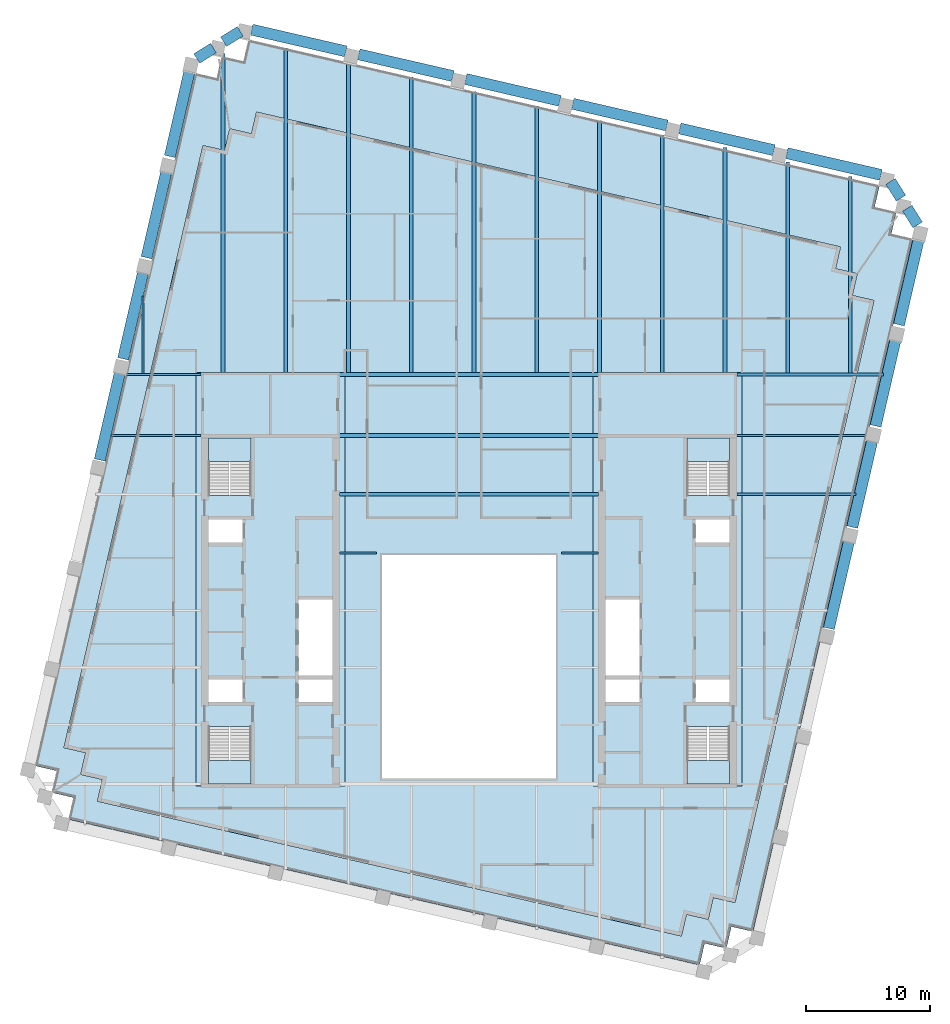
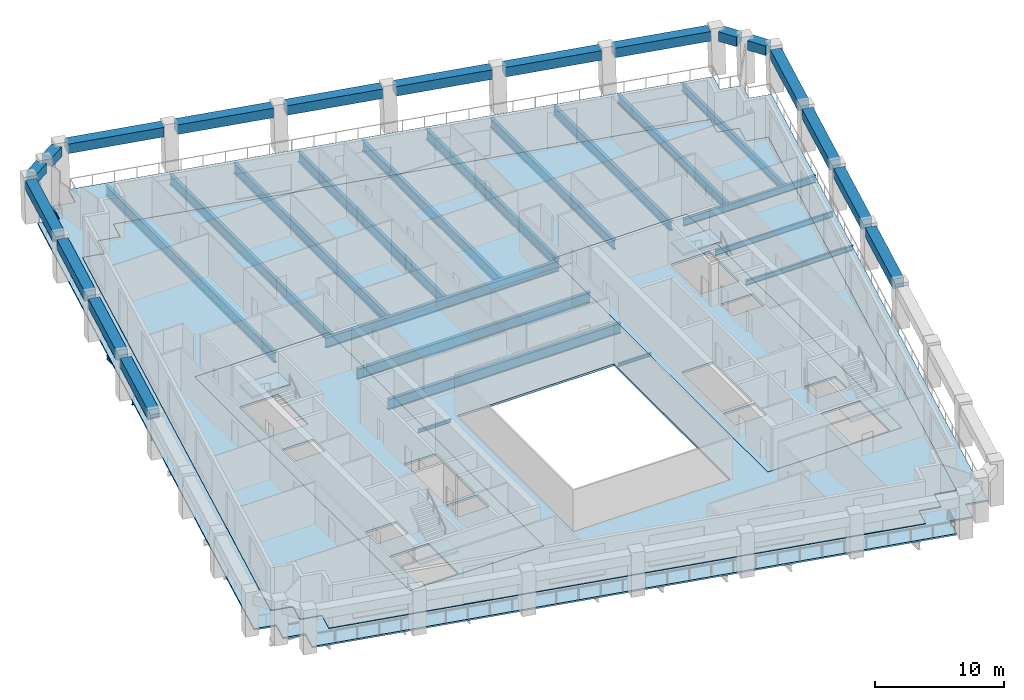
# One storey, part 2 of 9: 40 beams, 8 slabs, 4 elements without a shape of their own.
"""IFC4 building model written with IfcOpenShell, lengths in metres."""

from ifc_helpers import new_model, si_unit, direction, frame, origin, origin_2d, place, context, subcontext, project, spatial, polyline, rectangle, i_section, outline, extrude, material, layer, layer_set, material_profile, profile_set, type_object, element, aggregate, save


model = new_model("IFC4")

# Units and contexts
model_context = context("Model", 3, precision=1e-05, world=origin(), true_north=direction((0.0, 1.0)))
body_context = subcontext(model_context, "Body", "Model", "MODEL_VIEW")
ifc_project = project(units=[si_unit("LENGTHUNIT", "METRE"), si_unit("AREAUNIT", "SQUARE_METRE"), si_unit("VOLUMEUNIT", "CUBIC_METRE"), si_unit("PLANEANGLEUNIT", "RADIAN"), si_unit("MASSUNIT", "GRAM", prefix="KILO")], contexts=[model_context])

# Site, building, storey
site_placement = place(None, origin())
site = spatial("IfcSite", under=ifc_project, at=site_placement, CompositionType="ELEMENT")
building_placement = place(site_placement, origin())
building = spatial("IfcBuilding", under=site, at=building_placement, Name="Ogive Exchange Tower", CompositionType="ELEMENT")
storey_placement = place(building_placement, frame((0.0, 0.0, 276.60009765625)))
storey = spatial("IfcBuildingStorey", under=building, at=storey_placement, Name="L60", CompositionType="ELEMENT", Elevation=276.60009765625)

# Beams
ifc_material_1 = material(Name="Steel ASTM A992 Gr50", Category="steel")
ifc_material_profile_1 = material_profile(ifc_material_1, i_section(OverallWidth=0.300048828125, OverallDepth=0.969970703125, WebThickness=0.01611328125, FlangeThickness=0.02099609375, at=origin_2d()), Name="W1000x222")
ifc_profile_set_1 = profile_set([ifc_material_profile_1], Name="Steel ASTM A992 Gr50")
beam_type_1 = type_object("IfcBeamType", Name="Floor beam W1000x222", PredefinedType="JOIST", material=ifc_profile_set_1)
beam_1_placement = place(storey_placement, frame((10.514404296875, 30.699951171875, -0.68505859375), z_axis=(0.0, 1.0, 0.0), x_axis=(-1.0, 0.0, 0.0)))
element("IfcBeam", 1, at=beam_1_placement, inside=storey, type_object=beam_type_1, Name="Floor beam", PredefinedType="JOIST", context=body_context, shape_type="SweptSolid", body=[
    extrude(i_section(OverallWidth=0.300048828125, OverallDepth=0.969970703125, WebThickness=0.01611328125, FlangeThickness=0.02099609375, at=origin_2d()), origin(), (0.0, 0.0, 1.0), 20.318359375),
])
ifc_material_profile_2 = material_profile(ifc_material_1, i_section(OverallWidth=0.300048828125, OverallDepth=0.97998046875, WebThickness=0.0166015625, FlangeThickness=0.026123046875, at=origin_2d()), Name="W1000x249")
ifc_profile_set_2 = profile_set([ifc_material_profile_2], Name="Steel ASTM A992 Gr50")
beam_type_2 = type_object("IfcBeamType", Name="Floor beam W1000x249", PredefinedType="JOIST", material=ifc_profile_set_2)
for number, where, z_axis, x_axis, name in (
    (2, (-10.419921875, 20.89990234375, -0.690185546875), (1.0, 0.0, 0.0), (0.0, 1.0, 0.0), "Floor beam"),
    (3, (-10.419921875, 25.64501953125, -0.690185546875), (1.0, 0.0, 0.0), (0.0, 1.0, 0.0), "Floor beam"),
):
    element("IfcBeam", number, at=place(storey_placement, frame(where, z_axis=z_axis, x_axis=x_axis)), inside=storey, type_object=beam_type_2, Name=name, PredefinedType="JOIST", context=body_context, shape_type="SweptSolid", body=[
        extrude(i_section(OverallWidth=0.300048828125, OverallDepth=0.97998046875, WebThickness=0.0166015625, FlangeThickness=0.026123046875, at=origin_2d()), origin(), (0.0, 0.0, 1.0), 20.83984375),
    ])
beam_2_placement = place(storey_placement, frame((-19.814208984375, 30.699951171875, -0.690185546875), z_axis=(0.0, 1.0, 0.0), x_axis=(-1.0, 0.0, 0.0)))
element("IfcBeam", 4, at=beam_2_placement, inside=storey, type_object=beam_type_2, Name="Floor beam", PredefinedType="JOIST", context=body_context, shape_type="SweptSolid", body=[
    extrude(i_section(OverallWidth=0.300048828125, OverallDepth=0.97998046875, WebThickness=0.0166015625, FlangeThickness=0.026123046875, at=origin_2d()), origin(), (0.0, 0.0, 1.0), 25.707275390625),
])
beam_3_placement = place(storey_placement, frame((-14.759521484375, 30.699951171875, -0.690185546875), z_axis=(0.0, 1.0, 0.0), x_axis=(-1.0, 0.0, 0.0)))
element("IfcBeam", 5, at=beam_3_placement, inside=storey, type_object=beam_type_2, Name="Floor beam", PredefinedType="JOIST", context=body_context, shape_type="SweptSolid", body=[
    extrude(i_section(OverallWidth=0.300048828125, OverallDepth=0.97998046875, WebThickness=0.0166015625, FlangeThickness=0.026123046875, at=origin_2d()), origin(), (0.0, 0.0, 1.0), 26.1533203125),
])
beam_4_placement = place(storey_placement, frame((-9.70458984375, 30.695068359375, -0.690185546875), z_axis=(0.0, 1.0, 0.0), x_axis=(-1.0, 0.0, 0.0)))
element("IfcBeam", 6, at=beam_4_placement, inside=storey, type_object=beam_type_2, Name="Floor beam", PredefinedType="JOIST", context=body_context, shape_type="SweptSolid", body=[
    extrude(i_section(OverallWidth=0.300048828125, OverallDepth=0.97998046875, WebThickness=0.0166015625, FlangeThickness=0.026123046875, at=origin_2d()), origin(), (0.0, 0.0, 1.0), 24.9912109375),
])
beam_5_placement = place(storey_placement, frame((-4.64990234375, 30.695068359375, -0.690185546875), z_axis=(0.0, 1.0, 0.0), x_axis=(-1.0, 0.0, 0.0)))
element("IfcBeam", 7, at=beam_5_placement, inside=storey, type_object=beam_type_2, Name="Floor beam", PredefinedType="JOIST", context=body_context, shape_type="SweptSolid", body=[
    extrude(i_section(OverallWidth=0.300048828125, OverallDepth=0.97998046875, WebThickness=0.0166015625, FlangeThickness=0.026123046875, at=origin_2d()), origin(), (0.0, 0.0, 1.0), 23.82421875),
])
beam_6_placement = place(storey_placement, frame((0.40478515625, 30.695068359375, -0.690185546875), z_axis=(0.0, 1.0, 0.0), x_axis=(-1.0, 0.0, 0.0)))
element("IfcBeam", 8, at=beam_6_placement, inside=storey, type_object=beam_type_2, Name="Floor beam", PredefinedType="JOIST", context=body_context, shape_type="SweptSolid", body=[
    extrude(i_section(OverallWidth=0.300048828125, OverallDepth=0.97998046875, WebThickness=0.0166015625, FlangeThickness=0.026123046875, at=origin_2d()), origin(), (0.0, 0.0, 1.0), 22.6572265625),
])
beam_7_placement = place(storey_placement, frame((5.459716796875, 30.695068359375, -0.690185546875), z_axis=(0.0, 1.0, 0.0), x_axis=(-1.0, 0.0, 0.0)))
element("IfcBeam", 9, at=beam_7_placement, inside=storey, type_object=beam_type_2, Name="Floor beam", PredefinedType="JOIST", context=body_context, shape_type="SweptSolid", body=[
    extrude(i_section(OverallWidth=0.300048828125, OverallDepth=0.97998046875, WebThickness=0.0166015625, FlangeThickness=0.026123046875, at=origin_2d()), origin(), (0.0, 0.0, 1.0), 21.490234375),
])
ifc_material_profile_3 = material_profile(ifc_material_1, i_section(OverallWidth=0.1650390625, OverallDepth=0.31005859375, WebThickness=0.005859375, FlangeThickness=0.009765625, at=origin_2d()), Name="W310x38.7")
ifc_profile_set_3 = profile_set([ifc_material_profile_3], Name="Steel ASTM A992 Gr50")
beam_type_3 = type_object("IfcBeamType", Name="Floor beam W310x38.7", PredefinedType="JOIST", material=ifc_profile_set_3)
beam_8_placement = place(storey_placement, frame((-26.26904296875, 30.630615234375, -0.35498046875), z_axis=(0.0, 1.0, 0.0), x_axis=(-1.0, 0.0, 0.0)))
element("IfcBeam", 10, at=beam_8_placement, inside=storey, type_object=beam_type_3, Name="Floor beam", PredefinedType="JOIST", context=body_context, shape_type="SweptSolid", body=[
    extrude(i_section(OverallWidth=0.1650390625, OverallDepth=0.31005859375, WebThickness=0.005859375, FlangeThickness=0.009765625, at=origin_2d()), origin(), (0.0, 0.0, 1.0), 6.26416015625),
])
ifc_material_profile_4 = material_profile(ifc_material_1, i_section(OverallWidth=0.1708984375, OverallDepth=0.35595703125, WebThickness=0.00732421875, FlangeThickness=0.01171875, at=origin_2d()), Name="W360x51")
ifc_profile_set_4 = profile_set([ifc_material_profile_4], Name="Steel ASTM A992 Gr50")
beam_type_4 = type_object("IfcBeamType", Name="Floor beam W360x51", PredefinedType="JOIST", material=ifc_profile_set_4)
beam_9_placement = place(storey_placement, frame((-28.831787109375, 25.64501953125, -0.378173828125), z_axis=(1.0, 0.0, 0.0), x_axis=(0.0, 1.0, 0.0)))
element("IfcBeam", 11, at=beam_9_placement, inside=storey, type_object=beam_type_4, Name="Floor beam", PredefinedType="JOIST", context=body_context, shape_type="SweptSolid", body=[
    extrude(i_section(OverallWidth=0.1708984375, OverallDepth=0.35595703125, WebThickness=0.00732421875, FlangeThickness=0.01171875, at=origin_2d()), origin(), (0.0, 0.0, 1.0), 7.251708984375),
])
ifc_material_profile_5 = material_profile(ifc_material_1, i_section(OverallWidth=0.19189453125, OverallDepth=0.4619140625, WebThickness=0.010498046875, FlangeThickness=0.017578125, at=origin_2d()), Name="W460x89")
ifc_profile_set_5 = profile_set([ifc_material_profile_5], Name="Steel ASTM A992 Gr50")
beam_type_5 = type_object("IfcBeamType", Name="Floor beam W460x89", PredefinedType="JOIST", material=ifc_profile_set_5)
beam_10_placement = place(storey_placement, frame((21.580078125, 20.89990234375, -0.43115234375), z_axis=(1.0, 0.0, 0.0), x_axis=(0.0, 1.0, 0.0)))
element("IfcBeam", 12, at=beam_10_placement, inside=storey, type_object=beam_type_5, Name="Floor beam", PredefinedType="JOIST", context=body_context, shape_type="SweptSolid", body=[
    extrude(i_section(OverallWidth=0.19189453125, OverallDepth=0.4619140625, WebThickness=0.010498046875, FlangeThickness=0.017578125, at=origin_2d()), origin(), (0.0, 0.0, 1.0), 9.605224609375),
])
ifc_material_profile_6 = material_profile(ifc_material_1, i_section(OverallWidth=0.1669921875, OverallDepth=0.535888671875, WebThickness=0.01025390625, FlangeThickness=0.0166015625, at=origin_2d()), Name="W530x85")
ifc_profile_set_6 = profile_set([ifc_material_profile_6], Name="Steel ASTM A992 Gr50")
beam_type_6 = type_object("IfcBeamType", Name="Floor beam W530x85", PredefinedType="JOIST", material=ifc_profile_set_6)
beam_11_placement = place(storey_placement, frame((21.580078125, 25.64501953125, -0.468017578125), z_axis=(1.0, 0.0, 0.0), x_axis=(0.0, 1.0, 0.0)))
element("IfcBeam", 13, at=beam_11_placement, inside=storey, type_object=beam_type_6, Name="Floor beam", PredefinedType="JOIST", context=body_context, shape_type="SweptSolid", body=[
    extrude(i_section(OverallWidth=0.1669921875, OverallDepth=0.535888671875, WebThickness=0.01025390625, FlangeThickness=0.0166015625, at=origin_2d()), origin(), (0.0, 0.0, 1.0), 10.55078125),
])
ifc_material_profile_7 = material_profile(ifc_material_1, i_section(OverallWidth=0.26708984375, OverallDepth=0.75390625, WebThickness=0.01318359375, FlangeThickness=0.01708984375, at=origin_2d()), Name="W760x147")
ifc_profile_set_7 = profile_set([ifc_material_profile_7], Name="Steel ASTM A992 Gr50")
beam_type_7 = type_object("IfcBeamType", Name="Floor beam W760x147", PredefinedType="JOIST", material=ifc_profile_set_7)
beam_12_placement = place(storey_placement, frame((30.733642578125, 30.672119140625, -0.5771484375), z_axis=(0.0, 1.0, 0.0), x_axis=(-1.0, 0.0, 0.0)))
element("IfcBeam", 14, at=beam_12_placement, inside=storey, type_object=beam_type_7, Name="Floor beam", PredefinedType="JOIST", context=body_context, shape_type="SweptSolid", body=[
    extrude(i_section(OverallWidth=0.26708984375, OverallDepth=0.75390625, WebThickness=0.01318359375, FlangeThickness=0.01708984375, at=origin_2d()), origin(), (0.0, 0.0, 1.0), 15.828125),
])
ifc_material_profile_8 = material_profile(ifc_material_1, i_section(OverallWidth=0.2919921875, OverallDepth=0.8359375, WebThickness=0.013916015625, FlangeThickness=0.018798828125, at=origin_2d()), Name="W840x176")
ifc_profile_set_8 = profile_set([ifc_material_profile_8], Name="Steel ASTM A992 Gr50")
beam_type_8 = type_object("IfcBeamType", Name="Floor beam W840x176", PredefinedType="JOIST", material=ifc_profile_set_8)
beam_13_placement = place(storey_placement, frame((25.678955078125, 30.672119140625, -0.6181640625), z_axis=(0.0, 1.0, 0.0), x_axis=(-1.0, 0.0, 0.0)))
element("IfcBeam", 15, at=beam_13_placement, inside=storey, type_object=beam_type_8, Name="Floor beam", PredefinedType="JOIST", context=body_context, shape_type="SweptSolid", body=[
    extrude(i_section(OverallWidth=0.2919921875, OverallDepth=0.8359375, WebThickness=0.013916015625, FlangeThickness=0.018798828125, at=origin_2d()), origin(), (0.0, 0.0, 1.0), 16.9951171875),
])
ifc_material_profile_9 = material_profile(ifc_material_1, i_section(OverallWidth=0.304931640625, OverallDepth=0.904052734375, WebThickness=0.01513671875, FlangeThickness=0.02001953125, at=origin_2d()), Name="W920x201")
ifc_profile_set_9 = profile_set([ifc_material_profile_9], Name="Steel ASTM A992 Gr50")
beam_type_9 = type_object("IfcBeamType", Name="Floor beam W920x201", PredefinedType="JOIST", material=ifc_profile_set_9)
beam_14_placement = place(storey_placement, frame((20.6240234375, 30.699951171875, -0.652099609375), z_axis=(0.0, 1.0, 0.0), x_axis=(-1.0, 0.0, 0.0)))
element("IfcBeam", 16, at=beam_14_placement, inside=storey, type_object=beam_type_9, Name="Floor beam", PredefinedType="JOIST", context=body_context, shape_type="SweptSolid", body=[
    extrude(i_section(OverallWidth=0.304931640625, OverallDepth=0.904052734375, WebThickness=0.01513671875, FlangeThickness=0.02001953125, at=origin_2d()), origin(), (0.0, 0.0, 1.0), 18.13427734375),
])
ifc_material_profile_10 = material_profile(ifc_material_1, i_section(OverallWidth=0.304931640625, OverallDepth=0.9189453125, WebThickness=0.017333984375, FlangeThickness=0.02783203125, at=origin_2d()), Name="W920x253")
ifc_profile_set_10 = profile_set([ifc_material_profile_10], Name="Steel ASTM A992 Gr50")
beam_type_10 = type_object("IfcBeamType", Name="Floor beam W920x253", PredefinedType="JOIST", material=ifc_profile_set_10)
beam_15_placement = place(storey_placement, frame((15.5693359375, 30.699951171875, -0.65966796875), z_axis=(0.0, 1.0, 0.0), x_axis=(-1.0, 0.0, 0.0)))
element("IfcBeam", 17, at=beam_15_placement, inside=storey, type_object=beam_type_10, Name="Floor beam", PredefinedType="JOIST", context=body_context, shape_type="SweptSolid", body=[
    extrude(i_section(OverallWidth=0.304931640625, OverallDepth=0.9189453125, WebThickness=0.017333984375, FlangeThickness=0.02783203125, at=origin_2d()), origin(), (0.0, 0.0, 1.0), 19.1513671875),
])
ifc_material_profile_11 = material_profile(ifc_material_1, i_section(OverallWidth=0.300048828125, OverallDepth=0.97998046875, WebThickness=0.0166015625, FlangeThickness=0.026123046875, at=origin_2d()), Name="W1000x249")
ifc_profile_set_11 = profile_set([ifc_material_profile_11], Name="Steel ASTM A992 Gr50")
beam_type_11 = type_object("IfcBeamType", Name="Girder W1000x249", PredefinedType="BEAM", material=ifc_profile_set_11)
beam_16_placement = place(storey_placement, frame((-10.419921875, 30.544921875, -0.690185546875), z_axis=(1.0, 0.0, 0.0), x_axis=(0.0, 1.0, 0.0)))
element("IfcBeam", 18, at=beam_16_placement, inside=storey, type_object=beam_type_11, Name="Header girder", PredefinedType="BEAM", context=body_context, shape_type="SweptSolid", body=[
    extrude(i_section(OverallWidth=0.300048828125, OverallDepth=0.97998046875, WebThickness=0.0166015625, FlangeThickness=0.026123046875, at=origin_2d()), origin(), (0.0, 0.0, 1.0), 20.83984375),
])
ifc_material_profile_12 = material_profile(ifc_material_1, i_section(OverallWidth=0.1650390625, OverallDepth=0.31005859375, WebThickness=0.005859375, FlangeThickness=0.009765625, at=origin_2d()), Name="W310x38.7")
ifc_profile_set_12 = profile_set([ifc_material_profile_12], Name="Steel ASTM A992 Gr50")
beam_type_12 = type_object("IfcBeamType", Name="Girder W310x38.7", PredefinedType="BEAM", material=ifc_profile_set_12)
for number, where, z_axis, x_axis, name in (
    (19, (-10.419921875, 16.155029296875, -0.35498046875), (1.0, 0.0, 0.0), (0.0, 1.0, 0.0), "Trimmer girder"),
    (20, (7.469970703125, 16.155029296875, -0.35498046875), (1.0, 0.0, 0.0), (0.0, 1.0, 0.0), "Trimmer girder"),
):
    element("IfcBeam", number, at=place(storey_placement, frame(where, z_axis=z_axis, x_axis=x_axis)), inside=storey, type_object=beam_type_12, Name=name, PredefinedType="BEAM", context=body_context, shape_type="SweptSolid", body=[
        extrude(i_section(OverallWidth=0.1650390625, OverallDepth=0.31005859375, WebThickness=0.005859375, FlangeThickness=0.009765625, at=origin_2d()), origin(), (0.0, 0.0, 1.0), 2.949951171875),
    ])
ifc_material_profile_13 = material_profile(ifc_material_1, i_section(OverallWidth=0.1708984375, OverallDepth=0.35595703125, WebThickness=0.00732421875, FlangeThickness=0.01171875, at=origin_2d()), Name="W360x51")
ifc_profile_set_13 = profile_set([ifc_material_profile_13], Name="Steel ASTM A992 Gr50")
beam_type_13 = type_object("IfcBeamType", Name="Girder W360x51", PredefinedType="BEAM", material=ifc_profile_set_13)
beam_17_placement = place(storey_placement, frame((-27.700439453125, 30.544921875, -0.378173828125), z_axis=(1.0, 0.0, 0.0), x_axis=(0.0, 1.0, 0.0)))
element("IfcBeam", 21, at=beam_17_placement, inside=storey, type_object=beam_type_13, Name="Header girder", PredefinedType="BEAM", context=body_context, shape_type="SweptSolid", body=[
    extrude(i_section(OverallWidth=0.1708984375, OverallDepth=0.35595703125, WebThickness=0.00732421875, FlangeThickness=0.01171875, at=origin_2d()), origin(), (0.0, 0.0, 1.0), 6.120361328125),
])
ifc_material_profile_14 = material_profile(ifc_material_1, i_section(OverallWidth=0.25390625, OverallDepth=0.677978515625, WebThickness=0.01171875, FlangeThickness=0.016357421875, at=origin_2d()), Name="W690x125")
ifc_profile_set_14 = profile_set([ifc_material_profile_14], Name="Steel ASTM A992 Gr50")
beam_type_14 = type_object("IfcBeamType", Name="Girder W690x125", PredefinedType="BEAM", material=ifc_profile_set_14)
beam_18_placement = place(storey_placement, frame((21.580078125, 30.544921875, -0.5390625), z_axis=(1.0, 0.0, 0.0), x_axis=(0.0, 1.0, 0.0)))
element("IfcBeam", 22, at=beam_18_placement, inside=storey, type_object=beam_type_14, Name="Header girder", PredefinedType="BEAM", context=body_context, shape_type="SweptSolid", body=[
    extrude(i_section(OverallWidth=0.25390625, OverallDepth=0.677978515625, WebThickness=0.01171875, FlangeThickness=0.016357421875, at=origin_2d()), origin(), (0.0, 0.0, 1.0), 11.83203125),
])
ifc_material_2 = material(Name="Precast concrete C70/85 (limestone faced)", Category="masonry")
ifc_material_profile_15 = material_profile(ifc_material_2, rectangle(XDim=0.89990234375, YDim=0.89990234375, at=origin_2d()), Name="900 x 900")
ifc_profile_set_15 = profile_set([ifc_material_profile_15], Name="Precast concrete C70/85 (limestone faced)")
beam_type_15 = type_object("IfcBeamType", Name="Precast spandrel 900 x 900 C70/85", PredefinedType="SPANDREL", material=ifc_profile_set_15)
for number, where, z_axis, x_axis, name in (
    (23, (29.0029296875, 10.096923828125, 3.5), (0.224969284833, 0.974365855766, 0.0), (-0.974365855766, 0.224969284833, 0.0), "Spandrel 12"),
    (24, (30.885498046875, 18.251220703125, 3.5), (0.224969284833, 0.974365855766, 0.0), (-0.974365855766, 0.224969284833, 0.0), "Spandrel 13"),
    (25, (32.768310546875, 26.405517578125, 3.5), (0.22493757203, 0.974373177324, 0.0), (-0.974373177324, 0.22493757203, 0.0), "Spandrel 14"),
    (26, (34.65087890625, 34.559814453125, 3.5), (0.22493757203, 0.974373177324, 0.0), (-0.974373177324, 0.22493757203, 0.0), "Spandrel 15"),
):
    element("IfcBeam", number, at=place(storey_placement, frame(where, z_axis=z_axis, x_axis=x_axis)), inside=storey, type_object=beam_type_15, Name=name, PredefinedType="SPANDREL", context=body_context, shape_type="SweptSolid", body=[
        extrude(rectangle(XDim=0.89990234375, YDim=0.89990234375, at=origin_2d()), origin(), (0.0, 0.0, 1.0), 7.308837890625),
    ])
for number, where, z_axis, x_axis, name in (
    (27, (36.160888671875, 42.60302734375, 3.5), (-0.529902320601, 0.848058683477, 0.0), (-0.848058683477, -0.529902320601, 0.0), "Spandrel 16"),
    (28, (34.81201171875, 44.76171875, 3.5), (-0.529902320601, 0.848058683477, 0.0), (-0.848058683477, -0.529902320601, 0.0), "Spandrel 17"),
):
    element("IfcBeam", number, at=place(storey_placement, frame(where, z_axis=z_axis, x_axis=x_axis)), inside=storey, type_object=beam_type_15, Name=name, PredefinedType="SPANDREL", context=body_context, shape_type="SweptSolid", body=[
        extrude(rectangle(XDim=0.89990234375, YDim=0.89990234375, at=origin_2d()), origin(), (0.0, 0.0, 1.0), 1.590087890625),
    ])
beam_19_placement = place(storey_placement, frame((33.19970703125, 46.634521484375, 3.5), z_axis=(-0.974366363305, 0.224967086616, 0.0), x_axis=(-0.224967086616, -0.974366363305, 0.0)))
element("IfcBeam", 29, at=beam_19_placement, inside=storey, type_object=beam_type_15, Name="Spandrel 18", PredefinedType="SPANDREL", context=body_context, shape_type="SweptSolid", body=[
    extrude(rectangle(XDim=0.89990234375, YDim=0.89990234375, at=origin_2d()), origin(), (0.0, 0.0, 1.0), 7.789794921875),
])
beam_20_placement = place(storey_placement, frame((24.57666015625, 48.62548828125, 3.5), z_axis=(-0.974374818602, 0.224930462307, 0.0), x_axis=(-0.224930462307, -0.974374818602, 0.0)))
element("IfcBeam", 30, at=beam_20_placement, inside=storey, type_object=beam_type_15, Name="Spandrel 19", PredefinedType="SPANDREL", context=body_context, shape_type="SweptSolid", body=[
    extrude(rectangle(XDim=0.89990234375, YDim=0.89990234375, at=origin_2d()), origin(), (0.0, 0.0, 1.0), 7.7900390625),
])
beam_21_placement = place(storey_placement, frame((15.95361328125, 50.6162109375, 3.5), z_axis=(-0.974369535382, 0.224953347431, 0.0), x_axis=(-0.224953347431, -0.974369535382, 0.0)))
element("IfcBeam", 31, at=beam_21_placement, inside=storey, type_object=beam_type_15, Name="Spandrel 20", PredefinedType="SPANDREL", context=body_context, shape_type="SweptSolid", body=[
    extrude(rectangle(XDim=0.89990234375, YDim=0.89990234375, at=origin_2d()), origin(), (0.0, 0.0, 1.0), 7.790283203125),
])
for number, where, z_axis, x_axis, name in (
    (32, (7.330322265625, 52.60693359375, 3.5), (-0.974367949416, 0.224960216819, 0.0), (-0.224960216819, -0.974367949416, 0.0), "Spandrel 21"),
    (33, (-1.29296875, 54.597900390625, 3.5), (-0.974374818602, 0.224930462307, 0.0), (-0.224930462307, -0.974374818602, 0.0), "Spandrel 22"),
    (34, (-9.916015625, 56.588623046875, 3.5), (-0.974367949416, 0.224960216819, 0.0), (-0.224960216819, -0.974367949416, 0.0), "Spandrel 23"),
):
    element("IfcBeam", number, at=place(storey_placement, frame(where, z_axis=z_axis, x_axis=x_axis)), inside=storey, type_object=beam_type_15, Name=name, PredefinedType="SPANDREL", context=body_context, shape_type="SweptSolid", body=[
        extrude(rectangle(XDim=0.89990234375, YDim=0.89990234375, at=origin_2d()), origin(), (0.0, 0.0, 1.0), 7.7900390625),
    ])
for number, where, z_axis, x_axis, name in (
    (35, (-18.427978515625, 58.20703125, 3.5), (-0.848058683477, -0.529902320601, 0.0), (0.529902320601, -0.848058683477, 0.0), "Spandrel 24"),
    (36, (-20.5869140625, 56.858154296875, 3.5), (-0.84798967817, -0.53001274109, 0.0), (0.53001274109, -0.84798967817, 0.0), "Spandrel 25"),
):
    element("IfcBeam", number, at=place(storey_placement, frame(where, z_axis=z_axis, x_axis=x_axis)), inside=storey, type_object=beam_type_15, Name=name, PredefinedType="SPANDREL", context=body_context, shape_type="SweptSolid", body=[
        extrude(rectangle(XDim=0.89990234375, YDim=0.89990234375, at=origin_2d()), origin(), (0.0, 0.0, 1.0), 1.590087890625),
    ])
for number, where, z_axis, x_axis, name in (
    (37, (-22.459716796875, 55.245849609375, 3.5), (-0.224944893359, -0.97437148714, 0.0), (0.97437148714, -0.224944893359, 0.0), "Spandrel 26"),
    (38, (-24.34228515625, 47.091552734375, 3.5), (-0.224944893359, -0.97437148714, 0.0), (0.97437148714, -0.224944893359, 0.0), "Spandrel 27"),
):
    element("IfcBeam", number, at=place(storey_placement, frame(where, z_axis=z_axis, x_axis=x_axis)), inside=storey, type_object=beam_type_15, Name=name, PredefinedType="SPANDREL", context=body_context, shape_type="SweptSolid", body=[
        extrude(rectangle(XDim=0.89990234375, YDim=0.89990234375, at=origin_2d()), origin(), (0.0, 0.0, 1.0), 7.30859375),
    ])
for number, where, z_axis, x_axis, name in (
    (39, (-26.224853515625, 38.937255859375, 3.5), (-0.22493757203, -0.974373177324, 0.0), (0.974373177324, -0.22493757203, 0.0), "Spandrel 28"),
    (40, (-28.107421875, 30.782958984375, 3.5), (-0.22493757203, -0.974373177324, 0.0), (0.974373177324, -0.22493757203, 0.0), "Spandrel 29"),
):
    element("IfcBeam", number, at=place(storey_placement, frame(where, z_axis=z_axis, x_axis=x_axis)), inside=storey, type_object=beam_type_15, Name=name, PredefinedType="SPANDREL", context=body_context, shape_type="SweptSolid", body=[
        extrude(rectangle(XDim=0.89990234375, YDim=0.89990234375, at=origin_2d()), origin(), (0.0, 0.0, 1.0), 7.308837890625),
    ])

# Slabs
ifc_material_3 = material(Name="Concrete C50/60", Category="concrete")
ifc_layer_1 = layer(ifc_material_3, 0.199951171875)
ifc_layer_set_1 = layer_set([ifc_layer_1], Name="Composite floor slab 200")
slab_type_1 = type_object("IfcSlabType", Name="Composite floor slab 200", PredefinedType="FLOOR", material=ifc_layer_set_1)
slab_1_placement = place(storey_placement, frame((0.0, 0.0, -0.2001953125)))
element("IfcSlab", 41, at=slab_1_placement, inside=storey, type_object=slab_type_1, Name="Composite floor slab", PredefinedType="FLOOR", context=body_context, shape_type="SweptSolid", body=[
    extrude(outline(polyline([(-29.537109375, -2.0830078125), (-31.291015625, -1.67822265625), (-30.88623046875, 0.07568359375), (-32.64013671875, 0.480712890625), (-21.4375, 49.004150390625), (-19.68359375, 48.599365234375), (-19.27880859375, 50.353271484375), (-17.52490234375, 49.9482421875), (-17.119873046875, 51.7021484375), (29.942138671875, 40.8369140625), (29.537109375, 39.0830078125), (31.291015625, 38.67822265625), (30.88623046875, 36.92431640625), (32.64013671875, 36.519287109375), (21.4375, -12.004150390625), (19.68359375, -11.599365234375), (19.27880859375, -13.353271484375), (17.52490234375, -12.9482421875), (17.119873046875, -14.7021484375), (-29.942138671875, -3.8369140625), (-29.537109375, -2.0830078125)]), holes=[polyline([(7.0, -2.0), (7.0, 16.0), (-7.0, 16.0), (-7.0, -2.0), (7.0, -2.0)]), polyline([(-22.0, -2.60009765625), (-10.0, -2.60009765625), (-10.0, 30.699951171875), (-22.0, 30.699951171875), (-22.0, -2.60009765625)]), polyline([(10.0, -2.60009765625), (22.0, -2.60009765625), (22.0, 30.699951171875), (10.0, 30.699951171875), (10.0, -2.60009765625)])]), origin(), (0.0, 0.0, 1.0), 0.2001953125),
])
ifc_material_4 = material(Name="Concrete C70/85", Category="concrete")
ifc_layer_2 = layer(ifc_material_4, 0.199951171875)
ifc_layer_set_2 = layer_set([ifc_layer_2], Name="Core floor slab 200")
slab_type_2 = type_object("IfcSlabType", Name="Core floor slab 200", PredefinedType="FLOOR", material=ifc_layer_set_2)
slab_2_placement = place(storey_placement, frame((0.0, 0.0, -0.2001953125)))
element("IfcSlab", 42, at=slab_2_placement, inside=storey, type_object=slab_type_2, Name="Core floor slab", PredefinedType="FLOOR", context=body_context, shape_type="SweptSolid", body=[
    extrude(outline(polyline([(-22.0, -2.60009765625), (-22.0, 30.699951171875), (-10.0, 30.699951171875), (-10.0, -2.60009765625), (-22.0, -2.60009765625)]), holes=[polyline([(-17.550048828125, 2.196044921875), (-21.0, 2.196044921875), (-21.0, -2.449951171875), (-17.550048828125, -2.449951171875), (-17.550048828125, 2.196044921875)]), polyline([(-18.25, 5.992919921875), (-21.0, 5.992919921875), (-21.0, 4.14990234375), (-18.25, 4.14990234375), (-18.25, 5.992919921875)]), polyline([(-11.0, 5.992919921875), (-13.75, 5.992919921875), (-13.75, 4.14990234375), (-11.0, 4.14990234375), (-11.0, 5.992919921875)]), polyline([(-13.75, 12.42138671875), (-13.75, 6.29296875), (-11.0, 6.29296875), (-11.0, 12.42138671875), (-13.75, 12.42138671875)]), polyline([(-18.25, 18.85009765625), (-21.0, 18.85009765625), (-21.0, 17.007080078125), (-18.25, 17.007080078125), (-18.25, 18.85009765625)]), polyline([(-21.0, 25.449951171875), (-21.0, 20.803955078125), (-17.550048828125, 20.803955078125), (-17.550048828125, 25.449951171875), (-21.0, 25.449951171875)])]), origin(), (0.0, 0.0, 1.0), 0.2001953125),
])
slab_3_placement = place(storey_placement, frame((0.0, 0.0, -0.2001953125)))
element("IfcSlab", 43, at=slab_3_placement, inside=storey, type_object=slab_type_2, Name="Core floor slab", PredefinedType="FLOOR", context=body_context, shape_type="SweptSolid", body=[
    extrude(outline(polyline([(10.0, -2.60009765625), (10.0, 30.699951171875), (22.0, 30.699951171875), (22.0, -2.60009765625), (10.0, -2.60009765625)]), holes=[polyline([(21.0, 2.196044921875), (17.550048828125, 2.196044921875), (17.550048828125, -2.449951171875), (21.0, -2.449951171875), (21.0, 2.196044921875)]), polyline([(13.75, 5.992919921875), (11.0, 5.992919921875), (11.0, 4.14990234375), (13.75, 4.14990234375), (13.75, 5.992919921875)]), polyline([(21.0, 5.992919921875), (18.25, 5.992919921875), (18.25, 4.14990234375), (21.0, 4.14990234375), (21.0, 5.992919921875)]), polyline([(11.0, 12.42138671875), (11.0, 6.29296875), (13.75, 6.29296875), (13.75, 12.42138671875), (11.0, 12.42138671875)]), polyline([(21.0, 18.85009765625), (18.25, 18.85009765625), (18.25, 17.007080078125), (21.0, 17.007080078125), (21.0, 18.85009765625)]), polyline([(17.550048828125, 25.449951171875), (17.550048828125, 20.803955078125), (21.0, 20.803955078125), (21.0, 25.449951171875), (17.550048828125, 25.449951171875)])]), origin(), (0.0, 0.0, 1.0), 0.2001953125),
])
ifc_layer_3 = layer(ifc_material_3, 0.14990234375)
ifc_layer_set_3 = layer_set([ifc_layer_3], Name="Loggia deck 150")
slab_type_3 = type_object("IfcSlabType", Name="Loggia deck 150", PredefinedType="FLOOR", material=ifc_layer_set_3)
slab_4_placement = place(storey_placement, frame((0.0, 0.0, -0.2001953125)))
element("IfcSlab", 44, at=slab_4_placement, inside=storey, type_object=slab_type_3, Name="Loggia deck", PredefinedType="FLOOR", context=body_context, shape_type="SweptSolid", body=[
    extrude(outline(polyline([(-31.8759765625, -3.54443359375), (-33.6298828125, -3.1396484375), (-33.224853515625, -1.3857421875), (-34.978759765625, -0.980712890625), (-22.089111328125, 54.8505859375), (-20.335205078125, 54.44580078125), (-19.930419921875, 56.19970703125), (-18.176513671875, 55.794677734375), (-17.771484375, 57.548583984375), (33.090576171875, 45.80615234375), (32.685791015625, 44.05224609375), (34.439697265625, 43.647216796875), (34.03466796875, 41.893310546875), (35.78857421875, 41.488525390625), (22.89892578125, -14.343017578125), (21.14501953125, -13.93798828125), (20.739990234375, -15.69189453125), (18.986083984375, -15.286865234375), (18.581298828125, -17.040771484375), (-32.28076171875, -5.29833984375), (-31.8759765625, -3.54443359375)]), holes=[polyline([(17.52490234375, -12.9482421875), (19.27880859375, -13.353271484375), (19.68359375, -11.599365234375), (21.4375, -12.004150390625), (32.64013671875, 36.519287109375), (30.88623046875, 36.92431640625), (31.291015625, 38.67822265625), (29.537109375, 39.0830078125), (29.942138671875, 40.8369140625), (-17.119873046875, 51.7021484375), (-17.52490234375, 49.9482421875), (-19.27880859375, 50.353271484375), (-19.68359375, 48.599365234375), (-21.4375, 49.004150390625), (-32.64013671875, 0.480712890625), (-30.88623046875, 0.07568359375), (-31.291015625, -1.67822265625), (-29.537109375, -2.0830078125), (-29.942138671875, -3.8369140625), (17.119873046875, -14.7021484375), (17.52490234375, -12.9482421875)])]), origin(), (0.0, 0.0, 1.0), 0.150146484375),
])

# Stair, slab
ifc_material_5 = material(Name="Concrete C40/50", Category="concrete")
stair_type = type_object("IfcStairType", Name="Exit stair 1650 wide", PredefinedType="HALF_TURN_STAIR", material=ifc_material_5)
stair_1_placement = place(storey_placement, origin())
stair_1 = element("IfcStair", 45, at=stair_1_placement, inside=storey, type_object=stair_type, Name="L60 exit stair ST1", PredefinedType="HALF_TURN_STAIR")
ifc_layer_4 = layer(ifc_material_5, 0.199951171875)
ifc_layer_set_4 = layer_set([ifc_layer_4], Name="Stair landing 200 slab")
slab_type_4 = type_object("IfcSlabType", Name="Stair landing 200 slab", PredefinedType="LANDING", material=ifc_layer_set_4)
slab_5_placement = place(storey_placement, frame((0.0, 0.0, 1.89990234375)))
slab_5 = element("IfcSlab", 46, at=slab_5_placement, type_object=slab_type_4, Name="ST1 landing 1", PredefinedType="LANDING", context=body_context, shape_type="SweptSolid", body=[
    extrude(outline(polyline([(-21.0, -0.550048828125), (-21.0, -2.449951171875), (-17.550048828125, -2.449951171875), (-17.550048828125, -0.550048828125), (-21.0, -0.550048828125)])), origin(), (0.0, 0.0, 1.0), 0.199951171875),
])
aggregate(stair_1, [slab_5])

stair_2_placement = place(storey_placement, origin())
stair_2 = element("IfcStair", 47, at=stair_2_placement, inside=storey, type_object=stair_type, Name="L60 exit stair ST2", PredefinedType="HALF_TURN_STAIR")
slab_6_placement = place(storey_placement, frame((0.0, 0.0, 1.89990234375)))
slab_6 = element("IfcSlab", 48, at=slab_6_placement, type_object=slab_type_4, Name="ST2 landing 1", PredefinedType="LANDING", context=body_context, shape_type="SweptSolid", body=[
    extrude(outline(polyline([(-17.550048828125, 23.550048828125), (-17.550048828125, 25.449951171875), (-21.0, 25.449951171875), (-21.0, 23.550048828125), (-17.550048828125, 23.550048828125)])), origin(), (0.0, 0.0, 1.0), 0.199951171875),
])
aggregate(stair_2, [slab_6])

stair_3_placement = place(storey_placement, origin())
stair_3 = element("IfcStair", 49, at=stair_3_placement, inside=storey, type_object=stair_type, Name="L60 exit stair ST3", PredefinedType="HALF_TURN_STAIR")
slab_7_placement = place(storey_placement, frame((0.0, 0.0, 1.89990234375)))
slab_7 = element("IfcSlab", 50, at=slab_7_placement, type_object=slab_type_4, Name="ST3 landing 1", PredefinedType="LANDING", context=body_context, shape_type="SweptSolid", body=[
    extrude(outline(polyline([(17.550048828125, -0.550048828125), (17.550048828125, -2.449951171875), (21.0, -2.449951171875), (21.0, -0.550048828125), (17.550048828125, -0.550048828125)])), origin(), (0.0, 0.0, 1.0), 0.199951171875),
])
aggregate(stair_3, [slab_7])

stair_4_placement = place(storey_placement, origin())
stair_4 = element("IfcStair", 51, at=stair_4_placement, inside=storey, type_object=stair_type, Name="L60 exit stair ST4", PredefinedType="HALF_TURN_STAIR")
slab_8_placement = place(storey_placement, frame((0.0, 0.0, 1.89990234375)))
slab_8 = element("IfcSlab", 52, at=slab_8_placement, type_object=slab_type_4, Name="ST4 landing 1", PredefinedType="LANDING", context=body_context, shape_type="SweptSolid", body=[
    extrude(outline(polyline([(21.0, 23.550048828125), (21.0, 25.449951171875), (17.550048828125, 25.449951171875), (17.550048828125, 23.550048828125), (21.0, 23.550048828125)])), origin(), (0.0, 0.0, 1.0), 0.199951171875),
])
aggregate(stair_4, [slab_8])

save(model, "model.ifc")
